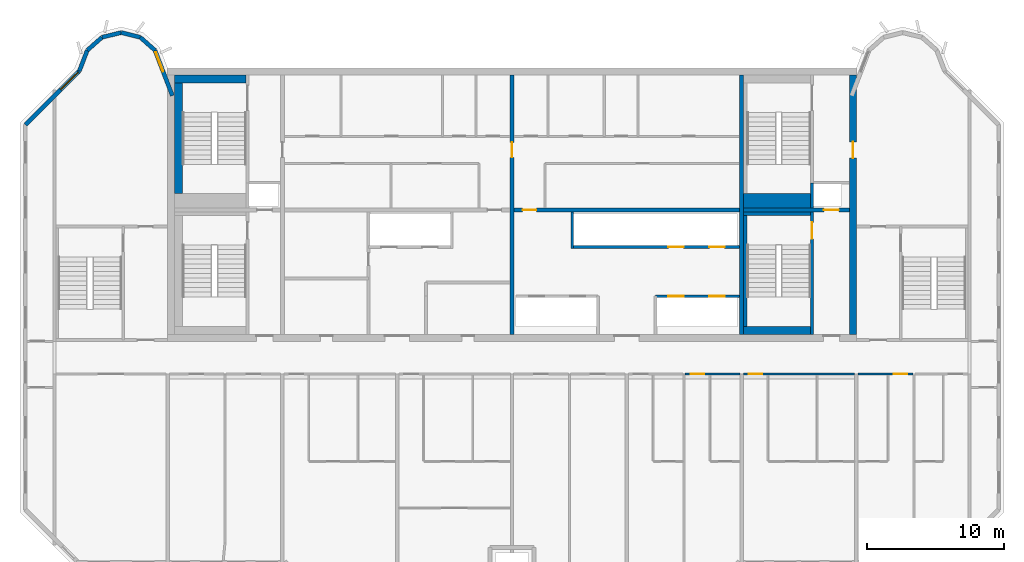
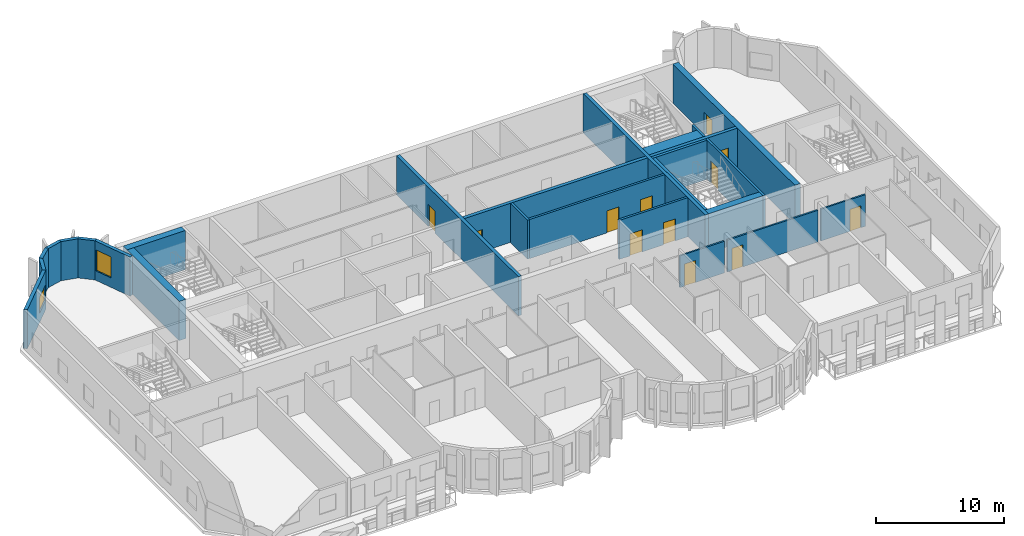
# One storey, part 6 of 12: 26 walls, 12 doors, 2 windows, 14 openings.
"""IFC4 building model written with IfcOpenShell, lengths in metres."""

from ifc_helpers import new_model, si_unit, direction, frame, frame_2d, origin, place, context, subcontext, project, spatial, rectangle, extrude, source, transform, mapped, material, layer, layer_set, type_object, element, fill, save


model = new_model("IFC4")

# Units and contexts
model_context = context("Model", 3, precision=1e-05, world=origin(), true_north=direction((0.0, 1.0)))
body_context = subcontext(model_context, "Body", "Model", "MODEL_VIEW")
ifc_project = project(units=[si_unit("LENGTHUNIT", "METRE"), si_unit("AREAUNIT", "SQUARE_METRE"), si_unit("VOLUMEUNIT", "CUBIC_METRE"), si_unit("PLANEANGLEUNIT", "RADIAN"), si_unit("MASSUNIT", "GRAM", prefix="KILO")], contexts=[model_context])

# Site, building, storey
site_placement = place(None, origin())
site = spatial("IfcSite", under=ifc_project, at=site_placement, CompositionType="ELEMENT")
building_placement = place(site_placement, origin())
building = spatial("IfcBuilding", under=site, at=building_placement, Name="Vanashikhar Sky Hotel", CompositionType="ELEMENT")
storey_placement = place(building_placement, frame((0.0, 0.0, 309.699951171875)))
storey = spatial("IfcBuildingStorey", under=building, at=storey_placement, Name="L74", CompositionType="ELEMENT", Elevation=309.699951171875)

# Wall, opening, door
ifc_material_1 = material(Name="Concrete M50", Category="concrete")
ifc_layer_1 = layer(ifc_material_1, 0.5)
ifc_layer_set_1 = layer_set([ifc_layer_1], Name="RC core shell wall 500 Concrete M50")
wall_type_1 = type_object("IfcWallType", Name="RC core shell wall 500 Concrete M50", PredefinedType="SHEAR", material=ifc_layer_set_1)
shared_shape_1 = source(origin(), body_context, "Body", "SweptSolid", [
    extrude(rectangle(XDim=19.0, YDim=0.5, at=frame_2d((9.5, 0.0))), origin(), (0.0, 0.0, 1.0), 3.719970703125),
])
wall_1_placement = place(storey_placement, frame((75.35009765625, 22.5, 0.0), z_axis=(0.0, 0.0, 1.0), x_axis=(0.0, 1.0, 0.0)))
wall_1 = element("IfcWall", 1, at=wall_1_placement, inside=storey, type_object=wall_type_1, Name="KW-L74-KE", PredefinedType="SHEAR", context=body_context, shape_type="MappedRepresentation", body=[
    mapped(shared_shape_1, transform((0.0, 0.0, 0.0), scale=1.0)),
])
shared_shape_2 = source(origin(), body_context, "Body", "SweptSolid", [
    extrude(rectangle(XDim=1.199951171875, YDim=2.10009765625, at=frame_2d((0.60009765625, 1.050048828125))), frame((0.0, 0.260009765625, 0.0), z_axis=(0.0, -1.0, 0.0), x_axis=(1.0, 0.0, 0.0)), (0.0, 0.0, 1.0), 0.52001953125),
])
opening_1_placement = place(wall_1_placement, frame((12.89990234375, 0.0, 0.0)))
opening_1 = element("IfcOpeningElement", 2, at=opening_1_placement, cuts=wall_1, Name="Opening DC-4-D", PredefinedType="OPENING", context=body_context, shape_type="MappedRepresentation", body=[
    mapped(shared_shape_2, transform((0.0, 0.0, 0.0), scale=1.0)),
])
ifc_material_2 = material(Name="Steel", Category="steel")
door_type_1 = type_object("IfcDoorType", Name="Service door 1200 FD120", OperationType="NOTDEFINED", PredefinedType="DOOR", material=ifc_material_2)
shared_shape_3 = source(origin(), body_context, "Body", "SweptSolid", [
    extrude(rectangle(XDim=1.199951171875, YDim=2.10009765625, at=frame_2d((0.60009765625, 1.050048828125))), frame((0.0, 0.02490234375, 0.0), z_axis=(0.0, -1.0, 0.0), x_axis=(1.0, 0.0, 0.0)), (0.0, 0.0, 1.0), 0.050048828125),
])
door_1_placement = place(opening_1_placement, origin())
door_1 = element("IfcDoor", 3, at=door_1_placement, inside=storey, type_object=door_type_1, Name="Service door 1200 FD120", OperationType="SINGLE_SWING_LEFT", OverallHeight=2.10009765625, OverallWidth=1.199951171875, PredefinedType="DOOR", context=body_context, shape_type="MappedRepresentation", body=[
    mapped(shared_shape_3, transform((0.0, 0.0, 0.0), scale=1.0)),
])
fill(opening_1, door_1)

ifc_layer_2 = layer(ifc_material_1, 0.300048828125)
ifc_layer_set_2 = layer_set([ifc_layer_2], Name="RC core inner wall 300 Concrete M50")
wall_type_2 = type_object("IfcWallType", Name="RC core inner wall 300 Concrete M50", PredefinedType="SHEAR", material=ifc_layer_set_2)
shared_shape_4 = source(origin(), body_context, "Body", "SweptSolid", [
    extrude(rectangle(XDim=19.0, YDim=0.300048828125, at=frame_2d((9.5, 0.0))), origin(), (0.0, 0.0, 1.0), 3.719970703125),
])
wall_2_placement = place(storey_placement, frame((50.39990234375, 22.5, 0.0), z_axis=(0.0, 0.0, 1.0), x_axis=(0.0, 1.0, 0.0)))
wall_2 = element("IfcWall", 4, at=wall_2_placement, inside=storey, type_object=wall_type_2, Name="KW-L74-KX2", PredefinedType="SHEAR", context=body_context, shape_type="MappedRepresentation", body=[
    mapped(shared_shape_4, transform((0.0, 0.0, 0.0), scale=1.0)),
])
shared_shape_5 = source(origin(), body_context, "Body", "SweptSolid", [
    extrude(rectangle(XDim=1.10009765625, YDim=2.10009765625, at=frame_2d((0.550048828125, 1.050048828125))), frame((0.0, 0.16015625, 0.0), z_axis=(0.0, -1.0, 0.0), x_axis=(1.0, 0.0, 0.0)), (0.0, 0.0, 1.0), 0.320068359375),
])
opening_2_placement = place(wall_2_placement, frame((12.949951171875, 0.0, 0.0)))
opening_2 = element("IfcOpeningElement", 5, at=opening_2_placement, cuts=wall_2, Name="Opening DC-4-C", PredefinedType="OPENING", context=body_context, shape_type="MappedRepresentation", body=[
    mapped(shared_shape_5, transform((0.0, 0.0, 0.0), scale=1.0)),
])
door_type_2 = type_object("IfcDoorType", Name="Service door 1100 FD60", OperationType="NOTDEFINED", PredefinedType="DOOR", material=ifc_material_2)
shared_shape_6 = source(origin(), body_context, "Body", "SweptSolid", [
    extrude(rectangle(XDim=1.10009765625, YDim=2.10009765625, at=frame_2d((0.550048828125, 1.050048828125))), frame((0.0, 0.02490234375, 0.0), z_axis=(0.0, -1.0, 0.0), x_axis=(1.0, 0.0, 0.0)), (0.0, 0.0, 1.0), 0.050048828125),
])
door_2_placement = place(opening_2_placement, origin())
door_2 = element("IfcDoor", 6, at=door_2_placement, inside=storey, type_object=door_type_2, Name="Service door 1100 FD60", OperationType="SINGLE_SWING_LEFT", OverallHeight=2.10009765625, OverallWidth=1.10009765625, PredefinedType="DOOR", context=body_context, shape_type="MappedRepresentation", body=[
    mapped(shared_shape_6, transform((0.0, 0.0, 0.0), scale=1.0)),
])
fill(opening_2, door_2)

# Wall
wall_3_placement = place(storey_placement, frame((67.199951171875, 22.5, 0.0), z_axis=(0.0, 0.0, 1.0), x_axis=(0.0, 1.0, 0.0)))
element("IfcWall", 7, at=wall_3_placement, inside=storey, type_object=wall_type_2, Name="KW-L74-KX3", PredefinedType="SHEAR", context=body_context, shape_type="MappedRepresentation", body=[
    mapped(shared_shape_4, transform((0.0, 0.0, 0.0), scale=1.0)),
])

# Wall, opening, door
shared_shape_7 = source(origin(), body_context, "Body", "SweptSolid", [
    extrude(rectangle(XDim=7.75, YDim=0.300048828125, at=frame_2d((3.875, 0.0))), origin(), (0.0, 0.0, 1.0), 3.719970703125),
])
wall_4_placement = place(storey_placement, frame((67.35009765625, 31.60009765625, 0.0), z_axis=(0.0, 0.0, 1.0), x_axis=(1.0, 0.0, 0.0)))
wall_4 = element("IfcWall", 8, at=wall_4_placement, inside=storey, type_object=wall_type_2, Name="KW-L74-KY4", PredefinedType="SHEAR", context=body_context, shape_type="MappedRepresentation", body=[
    mapped(shared_shape_7, transform((0.0, 0.0, 0.0), scale=1.0)),
])
opening_3_placement = place(wall_4_placement, frame((5.875, 0.0, 0.0)))
opening_3 = element("IfcOpeningElement", 9, at=opening_3_placement, cuts=wall_4, Name="Opening LD", PredefinedType="OPENING", context=body_context, shape_type="MappedRepresentation", body=[
    mapped(shared_shape_5, transform((0.0, 0.0, 0.0), scale=1.0)),
])
ifc_material_3 = material(Name="Stainless steel", Category="steel")
door_type_3 = type_object("IfcDoorType", Name="Lift landing door 1100", OperationType="NOTDEFINED", PredefinedType="DOOR", material=ifc_material_3)
door_3_placement = place(opening_3_placement, origin())
door_3 = element("IfcDoor", 10, at=door_3_placement, inside=storey, type_object=door_type_3, Name="Lift landing door 1100", OperationType="SLIDING_TO_LEFT", OverallHeight=2.10009765625, OverallWidth=1.10009765625, PredefinedType="DOOR", context=body_context, shape_type="MappedRepresentation", body=[
    mapped(shared_shape_6, transform((0.0, 0.0, 0.0), scale=1.0)),
])
fill(opening_3, door_3)

shared_shape_8 = source(origin(), body_context, "Body", "SweptSolid", [
    extrude(rectangle(XDim=16.5, YDim=0.300048828125, at=frame_2d((8.25, 0.0))), origin(), (0.0, 0.0, 1.0), 3.719970703125),
])
wall_5_placement = place(storey_placement, frame((50.550048828125, 31.60009765625, 0.0), z_axis=(0.0, 0.0, 1.0), x_axis=(1.0, 0.0, 0.0)))
wall_5 = element("IfcWall", 11, at=wall_5_placement, inside=storey, type_object=wall_type_2, Name="KW-L74-KY3", PredefinedType="SHEAR", context=body_context, shape_type="MappedRepresentation", body=[
    mapped(shared_shape_8, transform((0.0, 0.0, 0.0), scale=1.0)),
])
shared_shape_9 = source(origin(), body_context, "Body", "SweptSolid", [
    extrude(rectangle(XDim=1.0, YDim=2.10009765625, at=frame_2d((0.5, 1.050048828125))), frame((0.0, 0.16015625, 0.0), z_axis=(0.0, -1.0, 0.0), x_axis=(1.0, 0.0, 0.0)), (0.0, 0.0, 1.0), 0.320068359375),
])
opening_4_placement = place(wall_5_placement, frame((0.625, 0.0, 0.0)))
opening_4 = element("IfcOpeningElement", 12, at=opening_4_placement, cuts=wall_5, Name="Opening DC-4", PredefinedType="OPENING", context=body_context, shape_type="MappedRepresentation", body=[
    mapped(shared_shape_9, transform((0.0, 0.0, 0.0), scale=1.0)),
])
door_type_4 = type_object("IfcDoorType", Name="Service door 1000 FD60", OperationType="NOTDEFINED", PredefinedType="DOOR", material=ifc_material_2)
shared_shape_10 = source(origin(), body_context, "Body", "SweptSolid", [
    extrude(rectangle(XDim=1.0, YDim=2.10009765625, at=frame_2d((0.5, 1.050048828125))), frame((0.0, 0.02490234375, 0.0), z_axis=(0.0, -1.0, 0.0), x_axis=(1.0, 0.0, 0.0)), (0.0, 0.0, 1.0), 0.050048828125),
])
door_4_placement = place(opening_4_placement, origin())
door_4 = element("IfcDoor", 13, at=door_4_placement, inside=storey, type_object=door_type_4, Name="Service door 1000 FD60", OperationType="SINGLE_SWING_RIGHT", OverallHeight=2.10009765625, OverallWidth=1.0, PredefinedType="DOOR", context=body_context, shape_type="MappedRepresentation", body=[
    mapped(shared_shape_10, transform((0.0, 0.0, 0.0), scale=1.0)),
])
fill(opening_4, door_4)

# Wall, opening, window
ifc_layer_3 = layer(ifc_material_1, 0.300048828125)
ifc_layer_set_3 = layer_set([ifc_layer_3], Name="Lobe wall 300")
wall_type_3 = type_object("IfcWallType", Name="Lobe wall 300", PredefinedType="SOLIDWALL", material=ifc_layer_set_3)
shared_shape_11 = source(origin(), body_context, "Body", "SweptSolid", [
    extrude(rectangle(XDim=5.576416015625, YDim=0.300048828125, at=frame_2d((2.7880859375, 0.0))), origin(), (0.0, 0.0, 1.0), 3.719970703125),
])
wall_6_placement = place(storey_placement, frame((18.7431640625, 41.77734375, 0.0), z_axis=(0.0, 0.0, 1.0), x_axis=(-0.707106781187, -0.707106781187, 0.0)))
wall_6 = element("IfcWall", 14, at=wall_6_placement, inside=storey, type_object=wall_type_3, Name="Corner wall", PredefinedType="SOLIDWALL", context=body_context, shape_type="MappedRepresentation", body=[
    mapped(shared_shape_11, transform((0.0, 0.0, 0.0), scale=1.0)),
])
shared_shape_12 = source(origin(), body_context, "Body", "SweptSolid", [
    extrude(rectangle(XDim=1.800048828125, YDim=1.5, at=frame_2d((0.89990234375, 0.75))), frame((0.0, 0.16015625, 0.0), z_axis=(0.0, -1.0, 0.0), x_axis=(1.0, 0.0, 0.0)), (0.0, 0.0, 1.0), 0.320068359375),
])
opening_5_placement = place(wall_6_placement, frame((0.135498046875, 0.0, 0.89990234375)))
opening_5 = element("IfcOpeningElement", 15, at=opening_5_placement, cuts=wall_6, Name="Opening WN-4", PredefinedType="OPENING", context=body_context, shape_type="MappedRepresentation", body=[
    mapped(shared_shape_12, transform((0.0, 0.0, 0.0), scale=1.0)),
])
ifc_material_4 = material(Name="Glass", Category="glass")
window_type_1 = type_object("IfcWindowType", Name="Corner window 1800 x 1500", PartitioningType="SINGLE_PANEL", PredefinedType="WINDOW", material=ifc_material_4)
shared_shape_13 = source(origin(), body_context, "Body", "SweptSolid", [
    extrude(rectangle(XDim=1.800048828125, YDim=1.5, at=frame_2d((0.89990234375, 0.75))), frame((0.0, 0.030029296875, 0.0), z_axis=(0.0, -1.0, 0.0), x_axis=(1.0, 0.0, 0.0)), (0.0, 0.0, 1.0), 0.06005859375),
])
window_1_placement = place(opening_5_placement, origin())
window_1 = element("IfcWindow", 16, at=window_1_placement, inside=storey, type_object=window_type_1, Name="Window WN-4", OverallHeight=1.5, OverallWidth=1.800048828125, PartitioningType="SINGLE_PANEL", PredefinedType="WINDOW", context=body_context, shape_type="MappedRepresentation", body=[
    mapped(shared_shape_13, transform((0.0, 0.0, 0.0), scale=1.0)),
])
fill(opening_5, window_1)

# Walls
shared_shape_14 = source(origin(), body_context, "Body", "SweptSolid", [
    extrude(rectangle(XDim=1.6220703125, YDim=0.300048828125, at=frame_2d((0.81103515625, 0.0))), origin(), (0.0, 0.0, 1.0), 3.719970703125),
])
wall_7_placement = place(storey_placement, frame((19.323486328125, 43.2919921875, 0.0), z_axis=(0.0, 0.0, 1.0), x_axis=(-0.357778527068, -0.933806471154, 0.0)))
element("IfcWall", 17, at=wall_7_placement, inside=storey, type_object=wall_type_3, Name="Lobe wall", PredefinedType="SOLIDWALL", context=body_context, shape_type="MappedRepresentation", body=[
    mapped(shared_shape_14, transform((0.0, 0.0, 0.0), scale=1.0)),
])
shared_shape_15 = source(origin(), body_context, "Body", "SweptSolid", [
    extrude(rectangle(XDim=1.43994140625, YDim=0.300048828125, at=frame_2d((0.719970703125, 0.0))), origin(), (0.0, 0.0, 1.0), 3.719970703125),
])
wall_8_placement = place(storey_placement, frame((20.40283203125, 44.2451171875, 0.0), z_axis=(0.0, 0.0, 1.0), x_axis=(-0.74957555648, -0.661918790432, 0.0)))
element("IfcWall", 18, at=wall_8_placement, inside=storey, type_object=wall_type_3, Name="Lobe wall", PredefinedType="SOLIDWALL", context=body_context, shape_type="MappedRepresentation", body=[
    mapped(shared_shape_15, transform((0.0, 0.0, 0.0), scale=1.0)),
])
shared_shape_16 = source(origin(), body_context, "Body", "SweptSolid", [
    extrude(rectangle(XDim=1.438720703125, YDim=0.300048828125, at=frame_2d((0.71923828125, 0.0))), origin(), (0.0, 0.0, 1.0), 3.719970703125),
])
wall_9_placement = place(storey_placement, frame((21.800048828125, 44.588134765625, 0.0), z_axis=(0.0, 0.0, 1.0), x_axis=(-0.971161932466, -0.238420848351, 0.0)))
element("IfcWall", 19, at=wall_9_placement, inside=storey, type_object=wall_type_3, Name="Lobe wall", PredefinedType="SOLIDWALL", context=body_context, shape_type="MappedRepresentation", body=[
    mapped(shared_shape_16, transform((0.0, 0.0, 0.0), scale=1.0)),
])

# Wall, opening, window
shared_shape_17 = source(origin(), body_context, "Body", "SweptSolid", [
    extrude(rectangle(XDim=3.55908203125, YDim=0.300048828125, at=frame_2d((1.779541015625, 0.0))), origin(), (0.0, 0.0, 1.0), 3.719970703125),
])
wall_10_placement = place(storey_placement, frame((25.550048828125, 39.968505859375, 0.0), z_axis=(0.0, 0.0, 1.0), x_axis=(-0.35779745313, 0.933799219604, 0.0)))
wall_10 = element("IfcWall", 20, at=wall_10_placement, inside=storey, type_object=wall_type_3, Name="Lobe wall", PredefinedType="SOLIDWALL", context=body_context, shape_type="MappedRepresentation", body=[
    mapped(shared_shape_17, transform((0.0, 0.0, 0.0), scale=1.0)),
])
shared_shape_18 = source(origin(), body_context, "Body", "SweptSolid", [
    extrude(rectangle(XDim=1.5, YDim=2.0, at=frame_2d((0.75, 1.0))), frame((0.0, 0.16015625, 0.0), z_axis=(0.0, -1.0, 0.0), x_axis=(1.0, 0.0, 0.0)), (0.0, 0.0, 1.0), 0.320068359375),
])
opening_6_placement = place(wall_10_placement, frame((1.9033203125, 0.0, 0.89990234375)))
opening_6 = element("IfcOpeningElement", 21, at=opening_6_placement, cuts=wall_10, Name="Opening WN-2", PredefinedType="OPENING", context=body_context, shape_type="MappedRepresentation", body=[
    mapped(shared_shape_18, transform((0.0, 0.0, 0.0), scale=1.0)),
])
window_type_2 = type_object("IfcWindowType", Name="Lobe window 1500 x 2000", PartitioningType="SINGLE_PANEL", PredefinedType="WINDOW", material=ifc_material_4)
shared_shape_19 = source(origin(), body_context, "Body", "SweptSolid", [
    extrude(rectangle(XDim=1.5, YDim=2.0, at=frame_2d((0.75, 1.0))), frame((0.0, 0.030029296875, 0.0), z_axis=(0.0, -1.0, 0.0), x_axis=(1.0, 0.0, 0.0)), (0.0, 0.0, 1.0), 0.06005859375),
])
window_2_placement = place(opening_6_placement, origin())
window_2 = element("IfcWindow", 22, at=window_2_placement, inside=storey, type_object=window_type_2, Name="Window WN-2", OverallHeight=2.0, OverallWidth=1.5, PartitioningType="SINGLE_PANEL", PredefinedType="WINDOW", context=body_context, shape_type="MappedRepresentation", body=[
    mapped(shared_shape_19, transform((0.0, 0.0, 0.0), scale=1.0)),
])
fill(opening_6, window_2)

# Walls
shared_shape_20 = source(origin(), body_context, "Body", "SweptSolid", [
    extrude(rectangle(XDim=1.440185546875, YDim=0.300048828125, at=frame_2d((0.72021484375, 0.0))), origin(), (0.0, 0.0, 1.0), 3.719970703125),
])
wall_11_placement = place(storey_placement, frame((24.276611328125, 43.2919921875, 0.0), z_axis=(0.0, 0.0, 1.0), x_axis=(-0.749649827867, 0.661834673902, 0.0)))
element("IfcWall", 23, at=wall_11_placement, inside=storey, type_object=wall_type_3, Name="Lobe wall", PredefinedType="SOLIDWALL", context=body_context, shape_type="MappedRepresentation", body=[
    mapped(shared_shape_20, transform((0.0, 0.0, 0.0), scale=1.0)),
])
shared_shape_21 = source(origin(), body_context, "Body", "SweptSolid", [
    extrude(rectangle(XDim=1.4384765625, YDim=0.300048828125, at=frame_2d((0.71923828125, 0.0))), origin(), (0.0, 0.0, 1.0), 3.719970703125),
])
wall_12_placement = place(storey_placement, frame((23.197021484375, 44.2451171875, 0.0), z_axis=(0.0, 0.0, 1.0), x_axis=(-0.971152283879, 0.238460146601, 0.0)))
element("IfcWall", 24, at=wall_12_placement, inside=storey, type_object=wall_type_3, Name="Lobe wall", PredefinedType="SOLIDWALL", context=body_context, shape_type="MappedRepresentation", body=[
    mapped(shared_shape_21, transform((0.0, 0.0, 0.0), scale=1.0)),
])
ifc_material_5 = material(Name="Concrete M40", Category="concrete")
ifc_layer_4 = layer(ifc_material_5, 0.199951171875)
ifc_layer_set_4 = layer_set([ifc_layer_4], Name="Shaft wall 200")
wall_type_4 = type_object("IfcWallType", Name="Shaft wall 200", PredefinedType="SOLIDWALL", material=ifc_layer_set_4)
shared_shape_22 = source(origin(), body_context, "Body", "SweptSolid", [
    extrude(rectangle(XDim=2.64990234375, YDim=0.199951171875, at=frame_2d((1.324951171875, 0.0))), origin(), (0.0, 0.0, 1.0), 3.719970703125),
])
wall_13_placement = place(storey_placement, frame((54.800048828125, 28.800048828125, 0.0), z_axis=(0.0, 0.0, 1.0), x_axis=(0.0, 1.0, 0.0)))
element("IfcWall", 25, at=wall_13_placement, inside=storey, type_object=wall_type_4, Name="Shaft wall 200", PredefinedType="SOLIDWALL", context=body_context, shape_type="MappedRepresentation", body=[
    mapped(shared_shape_22, transform((0.0, 0.0, 0.0), scale=1.0)),
])

# Wall, openings, doors
shared_shape_23 = source(origin(), body_context, "Body", "SweptSolid", [
    extrude(rectangle(XDim=6.150146484375, YDim=0.199951171875, at=frame_2d((3.0751953125, 0.0))), origin(), (0.0, 0.0, 1.0), 3.719970703125),
])
wall_14_placement = place(storey_placement, frame((67.050048828125, 25.300048828125, 0.0), z_axis=(0.0, 0.0, 1.0), x_axis=(-1.0, 0.0, 0.0)))
wall_14 = element("IfcWall", 26, at=wall_14_placement, inside=storey, type_object=wall_type_4, Name="Shaft wall 200", PredefinedType="SOLIDWALL", context=body_context, shape_type="MappedRepresentation", body=[
    mapped(shared_shape_23, transform((0.0, 0.0, 0.0), scale=1.0)),
])
shared_shape_24 = source(origin(), body_context, "Body", "SweptSolid", [
    extrude(rectangle(XDim=1.10009765625, YDim=2.10009765625, at=frame_2d((0.550048828125, 1.050048828125))), frame((0.0, 0.10986328125, 0.0), z_axis=(0.0, -1.0, 0.0), x_axis=(1.0, 0.0, 0.0)), (0.0, 0.0, 1.0), 0.219970703125),
])
opening_7_placement = place(wall_14_placement, frame((1.10009765625, 0.0, 0.0)))
opening_7 = element("IfcOpeningElement", 27, at=opening_7_placement, cuts=wall_14, Name="Opening LD", PredefinedType="OPENING", context=body_context, shape_type="MappedRepresentation", body=[
    mapped(shared_shape_24, transform((0.0, 0.0, 0.0), scale=1.0)),
])
opening_8_placement = place(wall_14_placement, frame((4.10009765625, 0.0, 0.0)))
opening_8 = element("IfcOpeningElement", 28, at=opening_8_placement, cuts=wall_14, Name="Opening LD", PredefinedType="OPENING", context=body_context, shape_type="MappedRepresentation", body=[
    mapped(shared_shape_24, transform((0.0, 0.0, 0.0), scale=1.0)),
])
door_5_placement = place(opening_7_placement, origin())
door_5 = element("IfcDoor", 29, at=door_5_placement, inside=storey, type_object=door_type_3, Name="Lift landing door 1100", OperationType="SLIDING_TO_RIGHT", OverallHeight=2.10009765625, OverallWidth=1.10009765625, PredefinedType="DOOR", context=body_context, shape_type="MappedRepresentation", body=[
    mapped(shared_shape_6, transform((0.0, 0.0, 0.0), scale=1.0)),
])
fill(opening_7, door_5)
door_6_placement = place(opening_8_placement, origin())
door_6 = element("IfcDoor", 30, at=door_6_placement, inside=storey, type_object=door_type_3, Name="Lift landing door 1100", OperationType="SLIDING_TO_LEFT", OverallHeight=2.10009765625, OverallWidth=1.10009765625, PredefinedType="DOOR", context=body_context, shape_type="MappedRepresentation", body=[
    mapped(shared_shape_6, transform((0.0, 0.0, 0.0), scale=1.0)),
])
fill(opening_8, door_6)

shared_shape_25 = source(origin(), body_context, "Body", "SweptSolid", [
    extrude(rectangle(XDim=12.150146484375, YDim=0.199951171875, at=frame_2d((6.0751953125, 0.0))), origin(), (0.0, 0.0, 1.0), 3.719970703125),
])
wall_15_placement = place(storey_placement, frame((67.050048828125, 28.89990234375, 0.0), z_axis=(0.0, 0.0, 1.0), x_axis=(-1.0, 0.0, 0.0)))
wall_15 = element("IfcWall", 31, at=wall_15_placement, inside=storey, type_object=wall_type_4, Name="Shaft wall 200", PredefinedType="SOLIDWALL", context=body_context, shape_type="MappedRepresentation", body=[
    mapped(shared_shape_25, transform((0.0, 0.0, 0.0), scale=1.0)),
])
opening_9_placement = place(wall_15_placement, frame((1.10009765625, 0.0, 0.0)))
opening_9 = element("IfcOpeningElement", 32, at=opening_9_placement, cuts=wall_15, Name="Opening LD", PredefinedType="OPENING", context=body_context, shape_type="MappedRepresentation", body=[
    mapped(shared_shape_24, transform((0.0, 0.0, 0.0), scale=1.0)),
])
opening_10_placement = place(wall_15_placement, frame((4.10009765625, 0.0, 0.0)))
opening_10 = element("IfcOpeningElement", 33, at=opening_10_placement, cuts=wall_15, Name="Opening LD", PredefinedType="OPENING", context=body_context, shape_type="MappedRepresentation", body=[
    mapped(shared_shape_24, transform((0.0, 0.0, 0.0), scale=1.0)),
])
door_7_placement = place(opening_9_placement, origin())
door_7 = element("IfcDoor", 34, at=door_7_placement, inside=storey, type_object=door_type_3, Name="Lift landing door 1100", OperationType="SLIDING_TO_RIGHT", OverallHeight=2.10009765625, OverallWidth=1.10009765625, PredefinedType="DOOR", context=body_context, shape_type="MappedRepresentation", body=[
    mapped(shared_shape_6, transform((0.0, 0.0, 0.0), scale=1.0)),
])
fill(opening_9, door_7)
door_8_placement = place(opening_10_placement, origin())
door_8 = element("IfcDoor", 35, at=door_8_placement, inside=storey, type_object=door_type_3, Name="Lift landing door 1100", OperationType="SLIDING_TO_LEFT", OverallHeight=2.10009765625, OverallWidth=1.10009765625, PredefinedType="DOOR", context=body_context, shape_type="MappedRepresentation", body=[
    mapped(shared_shape_6, transform((0.0, 0.0, 0.0), scale=1.0)),
])
fill(opening_10, door_8)

# Wall, opening, door
ifc_layer_5 = layer(ifc_material_1, 0.199951171875)
ifc_layer_set_5 = layer_set([ifc_layer_5], Name="Stair wall 200")
wall_type_5 = type_object("IfcWallType", Name="Stair wall 200", PredefinedType="SOLIDWALL", material=ifc_layer_set_5)
shared_shape_26 = source(origin(), body_context, "Body", "SweptSolid", [
    extrude(rectangle(XDim=8.949951171875, YDim=0.199951171875, at=frame_2d((4.47509765625, 0.0))), origin(), (0.0, 0.0, 1.0), 3.719970703125),
])
wall_16_placement = place(storey_placement, frame((72.35009765625, 22.5, 0.0), z_axis=(0.0, 0.0, 1.0), x_axis=(0.0, 1.0, 0.0)))
wall_16 = element("IfcWall", 36, at=wall_16_placement, inside=storey, type_object=wall_type_5, Name="Stair wall 200", PredefinedType="SOLIDWALL", context=body_context, shape_type="MappedRepresentation", body=[
    mapped(shared_shape_26, transform((0.0, 0.0, 0.0), scale=1.0)),
])
shared_shape_27 = source(origin(), body_context, "Body", "SweptSolid", [
    extrude(rectangle(XDim=1.199951171875, YDim=2.10009765625, at=frame_2d((0.60009765625, 1.050048828125))), frame((0.0, 0.10986328125, 0.0), z_axis=(0.0, -1.0, 0.0), x_axis=(1.0, 0.0, 0.0)), (0.0, 0.0, 1.0), 0.219970703125),
])
opening_11_placement = place(wall_16_placement, frame((7.0, 0.0, 0.0)))
opening_11 = element("IfcOpeningElement", 37, at=opening_11_placement, cuts=wall_16, Name="Opening DC-1", PredefinedType="OPENING", context=body_context, shape_type="MappedRepresentation", body=[
    mapped(shared_shape_27, transform((0.0, 0.0, 0.0), scale=1.0)),
])
door_type_5 = type_object("IfcDoorType", Name="Stair door 1200 FD120", OperationType="NOTDEFINED", PredefinedType="DOOR", material=ifc_material_2)
door_9_placement = place(opening_11_placement, origin())
door_9 = element("IfcDoor", 38, at=door_9_placement, inside=storey, type_object=door_type_5, Name="Stair door 1200 FD120", OperationType="SINGLE_SWING_RIGHT", OverallHeight=2.10009765625, OverallWidth=1.199951171875, PredefinedType="DOOR", context=body_context, shape_type="MappedRepresentation", body=[
    mapped(shared_shape_3, transform((0.0, 0.0, 0.0), scale=1.0)),
])
fill(opening_11, door_9)

# Walls
shared_shape_28 = source(origin(), body_context, "Body", "SweptSolid", [
    extrude(rectangle(XDim=1.85009765625, YDim=0.199951171875, at=frame_2d((0.925048828125, 0.0))), origin(), (0.0, 0.0, 1.0), 3.719970703125),
])
wall_17_placement = place(storey_placement, frame((72.35009765625, 31.75, 0.0), z_axis=(0.0, 0.0, 1.0), x_axis=(0.0, 1.0, 0.0)))
element("IfcWall", 39, at=wall_17_placement, inside=storey, type_object=wall_type_4, Name="Shaft wall 200", PredefinedType="SOLIDWALL", context=body_context, shape_type="MappedRepresentation", body=[
    mapped(shared_shape_28, transform((0.0, 0.0, 0.0), scale=1.0)),
])
ifc_layer_6 = layer(ifc_material_1, 0.60009765625)
ifc_layer_set_6 = layer_set([ifc_layer_6], Name="Stair infill wall 600")
wall_type_6 = type_object("IfcWallType", Name="Stair infill wall 600", PredefinedType="SOLIDWALL", material=ifc_layer_set_6)
shared_shape_29 = source(origin(), body_context, "Body", "SweptSolid", [
    extrude(rectangle(XDim=5.25, YDim=0.60009765625, at=frame_2d((2.625, 0.0))), origin(), (0.0, 0.0, 1.0), 3.719970703125),
])
wall_18_placement = place(storey_placement, frame((25.699951171875, 41.199951171875, 0.0), z_axis=(0.0, 0.0, 1.0), x_axis=(1.0, 0.0, 0.0)))
element("IfcWall", 40, at=wall_18_placement, inside=storey, type_object=wall_type_6, Name="Stair infill wall 600", PredefinedType="SOLIDWALL", context=body_context, shape_type="MappedRepresentation", body=[
    mapped(shared_shape_29, transform((0.0, 0.0, 0.0), scale=1.0)),
])
shared_shape_30 = source(origin(), body_context, "Body", "SweptSolid", [
    extrude(rectangle(XDim=8.099853515625, YDim=0.60009765625, at=frame_2d((4.0498046875, 0.0))), origin(), (0.0, 0.0, 1.0), 3.719970703125),
])
wall_19_placement = place(storey_placement, frame((26.0, 32.800048828125, 0.0), z_axis=(0.0, 0.0, 1.0), x_axis=(0.0, 1.0, 0.0)))
element("IfcWall", 41, at=wall_19_placement, inside=storey, type_object=wall_type_6, Name="Stair infill wall 600", PredefinedType="SOLIDWALL", context=body_context, shape_type="MappedRepresentation", body=[
    mapped(shared_shape_30, transform((0.0, 0.0, 0.0), scale=1.0)),
])
shared_shape_31 = source(origin(), body_context, "Body", "SweptSolid", [
    extrude(rectangle(XDim=4.89990234375, YDim=0.60009765625, at=frame_2d((2.449951171875, 0.0))), origin(), (0.0, 0.0, 1.0), 3.719970703125),
])
wall_20_placement = place(storey_placement, frame((67.35009765625, 22.800048828125, 0.0), z_axis=(0.0, 0.0, 1.0), x_axis=(1.0, 0.0, 0.0)))
element("IfcWall", 42, at=wall_20_placement, inside=storey, type_object=wall_type_6, Name="Stair infill wall 600", PredefinedType="SOLIDWALL", context=body_context, shape_type="MappedRepresentation", body=[
    mapped(shared_shape_31, transform((0.0, 0.0, 0.0), scale=1.0)),
])
ifc_layer_7 = layer(ifc_material_1, 0.25)
ifc_layer_set_7 = layer_set([ifc_layer_7], Name="Stair infill wall 250")
wall_type_7 = type_object("IfcWallType", Name="Stair infill wall 250", PredefinedType="SOLIDWALL", material=ifc_layer_set_7)
shared_shape_32 = source(origin(), body_context, "Body", "SweptSolid", [
    extrude(rectangle(XDim=4.89990234375, YDim=0.25, at=frame_2d((2.449951171875, 0.0))), origin(), (0.0, 0.0, 1.0), 3.719970703125),
])
wall_21_placement = place(storey_placement, frame((67.35009765625, 31.324951171875, 0.0), z_axis=(0.0, 0.0, 1.0), x_axis=(1.0, 0.0, 0.0)))
element("IfcWall", 43, at=wall_21_placement, inside=storey, type_object=wall_type_7, Name="Stair infill wall 250", PredefinedType="SOLIDWALL", context=body_context, shape_type="MappedRepresentation", body=[
    mapped(shared_shape_32, transform((0.0, 0.0, 0.0), scale=1.0)),
])
shared_shape_33 = source(origin(), body_context, "Body", "SweptSolid", [
    extrude(rectangle(XDim=8.099853515625, YDim=0.25, at=frame_2d((4.0498046875, 0.0))), origin(), (0.0, 0.0, 1.0), 3.719970703125),
])
wall_22_placement = place(storey_placement, frame((67.47509765625, 23.10009765625, 0.0), z_axis=(0.0, 0.0, 1.0), x_axis=(0.0, 1.0, 0.0)))
element("IfcWall", 44, at=wall_22_placement, inside=storey, type_object=wall_type_7, Name="Stair infill wall 250", PredefinedType="SOLIDWALL", context=body_context, shape_type="MappedRepresentation", body=[
    mapped(shared_shape_33, transform((0.0, 0.0, 0.0), scale=1.0)),
])
ifc_layer_8 = layer(ifc_material_1, 1.050048828125)
ifc_layer_set_8 = layer_set([ifc_layer_8], Name="Stair infill wall 1050")
wall_type_8 = type_object("IfcWallType", Name="Stair infill wall 1050", PredefinedType="SOLIDWALL", material=ifc_layer_set_8)
shared_shape_34 = source(origin(), body_context, "Body", "SweptSolid", [
    extrude(rectangle(XDim=4.89990234375, YDim=1.050048828125, at=frame_2d((2.449951171875, 0.0))), origin(), (0.0, 0.0, 1.0), 3.719970703125),
])
wall_23_placement = place(storey_placement, frame((67.35009765625, 32.27490234375, 0.0), z_axis=(0.0, 0.0, 1.0), x_axis=(1.0, 0.0, 0.0)))
element("IfcWall", 45, at=wall_23_placement, inside=storey, type_object=wall_type_8, Name="Stair infill wall 1050", PredefinedType="SOLIDWALL", context=body_context, shape_type="MappedRepresentation", body=[
    mapped(shared_shape_34, transform((0.0, 0.0, 0.0), scale=1.0)),
])

# Wall, opening, door
ifc_material_6 = material(Name="Gypsum plasterboard partition")
ifc_layer_9 = layer(ifc_material_6, 0.14990234375)
ifc_layer_set_9 = layer_set([ifc_layer_9], Name="Corridor and demising partition 150")
wall_type_9 = type_object("IfcWallType", Name="Corridor and demising partition 150", PredefinedType="PARTITIONING", material=ifc_layer_set_9)
shared_shape_35 = source(origin(), body_context, "Body", "SweptSolid", [
    extrude(rectangle(XDim=8.150146484375, YDim=0.14990234375, at=frame_2d((4.0751953125, 0.0))), origin(), (0.0, 0.0, 1.0), 3.02001953125),
])
wall_24_placement = place(storey_placement, frame((67.324951171875, 19.60009765625, 0.0), z_axis=(0.0, 0.0, 1.0), x_axis=(1.0, 0.0, 0.0)))
wall_24 = element("IfcWall", 46, at=wall_24_placement, inside=storey, type_object=wall_type_9, Name="W-L74-PW030", PredefinedType="PARTITIONING", context=body_context, shape_type="MappedRepresentation", body=[
    mapped(shared_shape_35, transform((0.0, 0.0, 0.0), scale=1.0)),
])
shared_shape_36 = source(origin(), body_context, "Body", "SweptSolid", [
    extrude(rectangle(XDim=1.0, YDim=2.10009765625, at=frame_2d((0.5, 1.050048828125))), frame((0.0, 0.0849609375, 0.0), z_axis=(0.0, -1.0, 0.0), x_axis=(1.0, 0.0, 0.0)), (0.0, 0.0, 1.0), 0.169921875),
])
opening_12_placement = place(wall_24_placement, frame((0.39990234375, 0.0, 0.0)))
opening_12 = element("IfcOpeningElement", 47, at=opening_12_placement, cuts=wall_24, Name="Opening D-01", PredefinedType="OPENING", context=body_context, shape_type="MappedRepresentation", body=[
    mapped(shared_shape_36, transform((0.0, 0.0, 0.0), scale=1.0)),
])
ifc_material_7 = material(Name="Timber fire door", Category="wood")
door_type_6 = type_object("IfcDoorType", Name="Guest entry door 1000 FD30S", OperationType="NOTDEFINED", PredefinedType="DOOR", material=ifc_material_7)
door_10_placement = place(opening_12_placement, origin())
door_10 = element("IfcDoor", 48, at=door_10_placement, inside=storey, type_object=door_type_6, Name="D-L74-019", OperationType="SINGLE_SWING_LEFT", OverallHeight=2.10009765625, OverallWidth=1.0, PredefinedType="DOOR", context=body_context, shape_type="MappedRepresentation", body=[
    mapped(shared_shape_10, transform((0.0, 0.0, 0.0), scale=1.0)),
])
fill(opening_12, door_10)

shared_shape_37 = source(origin(), body_context, "Body", "SweptSolid", [
    extrude(rectangle(XDim=4.0, YDim=0.14990234375, at=frame_2d((2.0, 0.0))), origin(), (0.0, 0.0, 1.0), 3.02001953125),
])
wall_25_placement = place(storey_placement, frame((63.074951171875, 19.60009765625, 0.0), z_axis=(0.0, 0.0, 1.0), x_axis=(1.0, 0.0, 0.0)))
wall_25 = element("IfcWall", 49, at=wall_25_placement, inside=storey, type_object=wall_type_9, Name="W-L74-PW024", PredefinedType="PARTITIONING", context=body_context, shape_type="MappedRepresentation", body=[
    mapped(shared_shape_37, transform((0.0, 0.0, 0.0), scale=1.0)),
])
opening_13_placement = place(wall_25_placement, frame((0.39990234375, 0.0, 0.0)))
opening_13 = element("IfcOpeningElement", 50, at=opening_13_placement, cuts=wall_25, Name="Opening D-01", PredefinedType="OPENING", context=body_context, shape_type="MappedRepresentation", body=[
    mapped(shared_shape_36, transform((0.0, 0.0, 0.0), scale=1.0)),
])
door_11_placement = place(opening_13_placement, origin())
door_11 = element("IfcDoor", 51, at=door_11_placement, inside=storey, type_object=door_type_6, Name="D-L74-016", OperationType="SINGLE_SWING_LEFT", OverallHeight=2.10009765625, OverallWidth=1.0, PredefinedType="DOOR", context=body_context, shape_type="MappedRepresentation", body=[
    mapped(shared_shape_10, transform((0.0, 0.0, 0.0), scale=1.0)),
])
fill(opening_13, door_11)

wall_26_placement = place(storey_placement, frame((75.72509765625, 19.60009765625, 0.0), z_axis=(0.0, 0.0, 1.0), x_axis=(1.0, 0.0, 0.0)))
wall_26 = element("IfcWall", 52, at=wall_26_placement, inside=storey, type_object=wall_type_9, Name="W-L74-PW033", PredefinedType="PARTITIONING", context=body_context, shape_type="MappedRepresentation", body=[
    mapped(shared_shape_37, transform((0.0, 0.0, 0.0), scale=1.0)),
])
opening_14_placement = place(wall_26_placement, frame((2.60009765625, 0.0, 0.0)))
opening_14 = element("IfcOpeningElement", 53, at=opening_14_placement, cuts=wall_26, Name="Opening D-01", PredefinedType="OPENING", context=body_context, shape_type="MappedRepresentation", body=[
    mapped(shared_shape_36, transform((0.0, 0.0, 0.0), scale=1.0)),
])
door_12_placement = place(opening_14_placement, origin())
door_12 = element("IfcDoor", 54, at=door_12_placement, inside=storey, type_object=door_type_6, Name="D-L74-021", OperationType="SINGLE_SWING_RIGHT", OverallHeight=2.10009765625, OverallWidth=1.0, PredefinedType="DOOR", context=body_context, shape_type="MappedRepresentation", body=[
    mapped(shared_shape_10, transform((0.0, 0.0, 0.0), scale=1.0)),
])
fill(opening_14, door_12)

save(model, "model.ifc")
